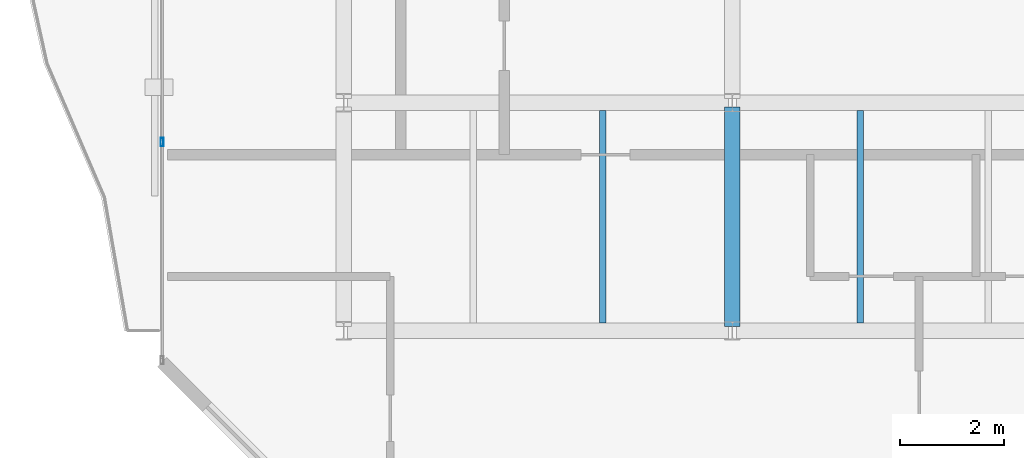
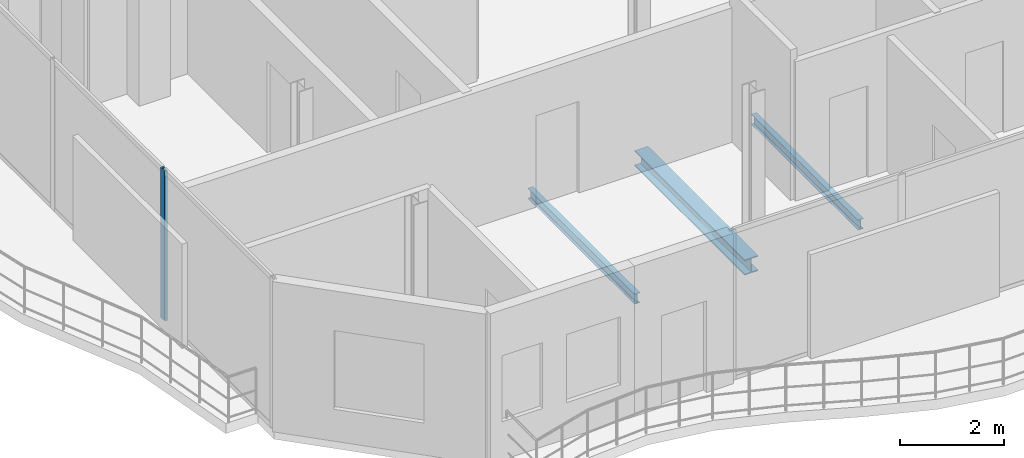
# One storey, part 5 of 23: 3 beams, 1 member, 1 element without a shape of its own.
"""IFC4 building model written with IfcOpenShell, lengths in metres."""

from ifc_helpers import new_model, si_unit, direction, frame, origin, origin_2d, place, context, subcontext, project, spatial, hollow_rectangle, i_section, extrude, material, layer, layer_set, material_profile, profile_set, type_object, element, aggregate, save


model = new_model("IFC4")

# Units and contexts
model_context = context("Model", 3, precision=1e-05, world=origin(), true_north=direction((0.0, 1.0)))
body_context = subcontext(model_context, "Body", "Model", "MODEL_VIEW")
ifc_project = project(units=[si_unit("LENGTHUNIT", "METRE"), si_unit("AREAUNIT", "SQUARE_METRE"), si_unit("VOLUMEUNIT", "CUBIC_METRE"), si_unit("PLANEANGLEUNIT", "RADIAN"), si_unit("MASSUNIT", "GRAM", prefix="KILO")], contexts=[model_context])

# Site, building, storey
site_placement = place(None, origin())
site = spatial("IfcSite", under=ifc_project, at=site_placement, CompositionType="ELEMENT")
building_placement = place(site_placement, origin())
building = spatial("IfcBuilding", under=site, at=building_placement, Name="Catumbela Crestline Tower", CompositionType="ELEMENT")
storey_placement = place(building_placement, frame((0.0, 0.0, 248.8)))
storey = spatial("IfcBuildingStorey", under=building, at=storey_placement, Name="L64", CompositionType="ELEMENT", Elevation=248.8)

# Beams
ifc_material_1 = material(Name="Structural steel S355J2", Category="steel")
ifc_material_profile_1 = material_profile(ifc_material_1, i_section(OverallWidth=0.3, OverallDepth=0.36, WebThickness=0.0125, FlangeThickness=0.0225, FilletRadius=0.027, at=origin_2d()), Name="HEB 360")
ifc_profile_set_1 = profile_set([ifc_material_profile_1], Name="Structural steel S355J2")
beam_type_1 = type_object("IfcBeamType", Name="BG-HEB360", PredefinedType="BEAM", material=ifc_profile_set_1)
beam_placement = place(storey_placement, frame((16.0, 13.68, -0.44), z_axis=(0.0, 1.0, 0.0), x_axis=(-1.0, 0.0, 0.0)))
element("IfcBeam", 1, at=beam_placement, inside=storey, type_object=beam_type_1, Name="L64 Beam BM-L64-WNS33", PredefinedType="BEAM", context=body_context, shape_type="SweptSolid", body=[
    extrude(i_section(OverallWidth=0.3, OverallDepth=0.36, WebThickness=0.0125, FlangeThickness=0.0225, FilletRadius=0.027, at=origin_2d()), origin(), (0.0, 0.0, 1.0), 4.24),
])
ifc_material_profile_2 = material_profile(ifc_material_1, i_section(OverallWidth=0.12, OverallDepth=0.24, WebThickness=0.0062, FlangeThickness=0.0098, FilletRadius=0.015, at=origin_2d()), Name="IPE 240")
ifc_profile_set_2 = profile_set([ifc_material_profile_2], Name="Structural steel S355J2")
beam_type_2 = type_object("IfcBeamType", Name="BJ-IPE240", PredefinedType="JOIST", material=ifc_profile_set_2)
for number, where, z_axis, x_axis, name in (
    (2, (13.5, 13.747, -0.38), (0.0, 1.0, 0.0), (-1.0, 0.0, 0.0), "L64 Joist JS-L64-WG37"),
    (3, (18.467, 13.747, -0.38), (0.0, 1.0, 0.0), (-1.0, 0.0, 0.0), "L64 Joist JS-L64-WG38"),
):
    element("IfcBeam", number, at=place(storey_placement, frame(where, z_axis=z_axis, x_axis=x_axis)), inside=storey, type_object=beam_type_2, Name=name, PredefinedType="JOIST", context=body_context, shape_type="SweptSolid", body=[
        extrude(i_section(OverallWidth=0.12, OverallDepth=0.24, WebThickness=0.0062, FlangeThickness=0.0098, FilletRadius=0.015, at=origin_2d()), origin(), (0.0, 0.0, 1.0), 4.106),
    ])

# Curtain wall, member
ifc_material_2 = material(Name="Aluminium alloy AW-6060-T66", Category="aluminium")
ifc_layer = layer(ifc_material_2, 0.18, Name="Aluminium alloy AW-6060-T66")
ifc_layer_set = layer_set([ifc_layer], Name="Aluminium alloy AW-6060-T66")
curtain_wall_type = type_object("IfcCurtainWallType", Name="CWU-Z4", PredefinedType="USERDEFINED", material=ifc_layer_set)
curtain_wall_placement = place(storey_placement, origin())
curtain_wall = element("IfcCurtainWall", 4, at=curtain_wall_placement, inside=storey, type_object=curtain_wall_type, Name="L64 Unitised Curtain Wall CW-L64-E9S2", ObjectType="UNITISED", PredefinedType="USERDEFINED")
ifc_material_profile_3 = material_profile(ifc_material_2, hollow_rectangle(XDim=0.06, YDim=0.16, WallThickness=0.004, at=origin_2d()), Name="ALU 160x60x4")
ifc_profile_set_3 = profile_set([ifc_material_profile_3], Name="Aluminium alloy AW-6060-T66")
member_type = type_object("IfcMemberType", Name="MUL-160X60", PredefinedType="MULLION", material=ifc_profile_set_3)
member_placement = place(storey_placement, frame((5.0, 17.24, 0.0), z_axis=(0.0, 0.0, 1.0), x_axis=(1.0, 0.0, 0.0)))
member = element("IfcMember", 5, at=member_placement, type_object=member_type, Name="CWU-Z4 mullion 5", PredefinedType="MULLION", context=body_context, shape_type="SweptSolid", body=[
    extrude(hollow_rectangle(XDim=0.06, YDim=0.16, WallThickness=0.004, at=origin_2d()), origin(), (0.0, 0.0, 1.0), 3.53),
])
aggregate(curtain_wall, [member])

save(model, "model.ifc")
